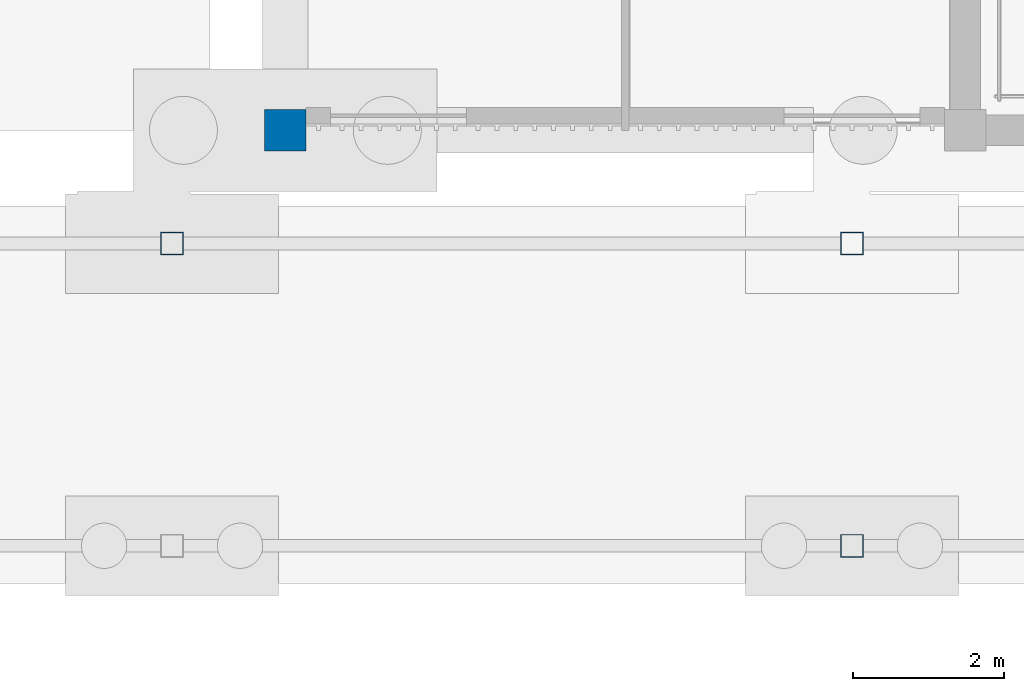
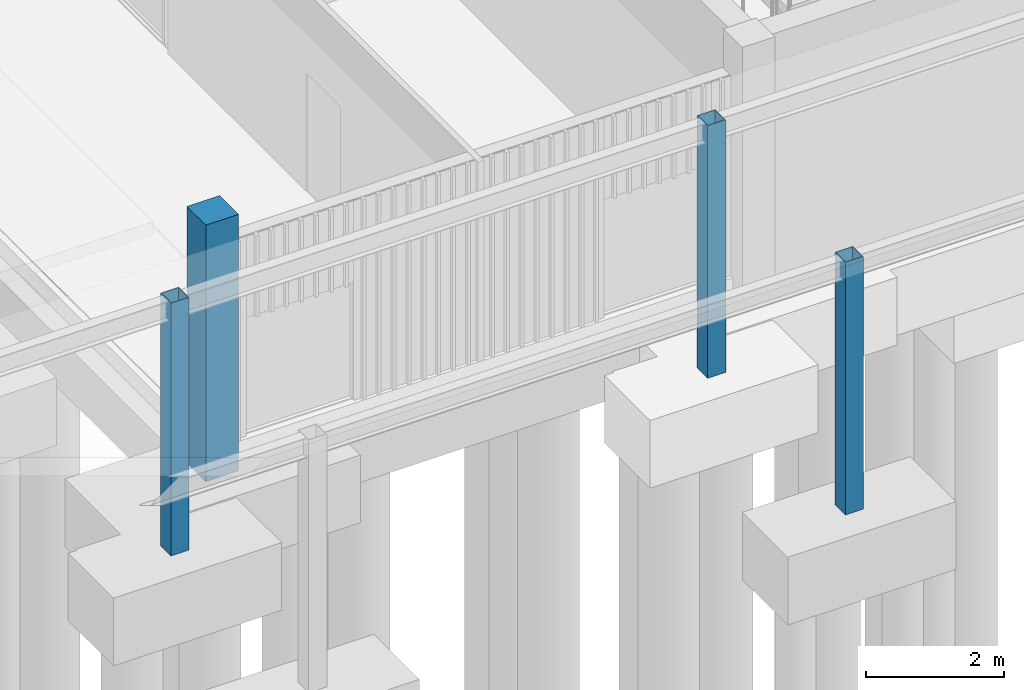
# One storey, part 13 of 106: 4 columns.
"""IFC4 building model written with IfcOpenShell, lengths in metres."""

from ifc_helpers import new_model, si_unit, direction, frame, origin, origin_2d, place, context, subcontext, project, spatial, rectangle, hollow_rectangle, extrude, material, material_profile, profile_set, type_object, element, save


model = new_model("IFC4")

# Units and contexts
model_context = context("Model", 3, precision=1e-05, world=origin(), true_north=direction((0.0, 1.0)))
body_context = subcontext(model_context, "Body", "Model", "MODEL_VIEW")
ifc_project = project(units=[si_unit("LENGTHUNIT", "METRE"), si_unit("AREAUNIT", "SQUARE_METRE"), si_unit("VOLUMEUNIT", "CUBIC_METRE"), si_unit("PLANEANGLEUNIT", "RADIAN"), si_unit("MASSUNIT", "GRAM", prefix="KILO")], contexts=[model_context])

# Site, building, storey
site_placement = place(None, origin())
site = spatial("IfcSite", under=ifc_project, at=site_placement, CompositionType="ELEMENT")
building_placement = place(site_placement, origin())
building = spatial("IfcBuilding", under=site, at=building_placement, Name="Merrow Basin Faculty of Sciences", CompositionType="ELEMENT")
storey_placement = place(building_placement, origin())
storey = spatial("IfcBuildingStorey", under=building, at=storey_placement, Name="L00", CompositionType="ELEMENT", Elevation=0.0)

# Columns
ifc_material_1 = material(Name="Steel ASTM A500 Gr C", Category="steel")
ifc_material_profile_1 = material_profile(ifc_material_1, hollow_rectangle(XDim=0.304931640625, YDim=0.304931640625, WallThickness=0.0126953125, at=origin_2d()))
ifc_profile_set_1 = profile_set([ifc_material_profile_1], Name="Steel ASTM A500 Gr C")
column_type_1 = type_object("IfcColumnType", Name="Canopy column HSS305x305x12.7", PredefinedType="COLUMN", material=ifc_profile_set_1)
for number, where, z_axis, x_axis, name in (
    (1, (52.5, 59.5, -0.300048828125), (0.0, 0.0, 1.0), (1.0, 0.0, 0.0), "Canopy column P1"),
    (2, (61.5, 55.5, -0.300048828125), (0.0, 0.0, 1.0), (1.0, 0.0, 0.0), "Canopy column P1"),
    (3, (61.5, 59.5, -0.300048828125), (0.0, 0.0, 1.0), (1.0, 0.0, 0.0), "Canopy column P1"),
):
    element("IfcColumn", number, at=place(storey_placement, frame(where, z_axis=z_axis, x_axis=x_axis)), inside=storey, type_object=column_type_1, Name=name, PredefinedType="COLUMN", context=body_context, shape_type="SweptSolid", body=[
        extrude(hollow_rectangle(XDim=0.304931640625, YDim=0.304931640625, WallThickness=0.0126953125, at=origin_2d()), origin(), (0.0, 0.0, 1.0), 4.47998046875),
    ])
ifc_material_2 = material(Name="Concrete C40/50", Category="concrete")
ifc_material_profile_2 = material_profile(ifc_material_2, rectangle(XDim=0.550048828125, YDim=0.550048828125, at=origin_2d()))
ifc_profile_set_2 = profile_set([ifc_material_profile_2], Name="Concrete C40/50")
column_type_2 = type_object("IfcColumnType", Name="Column RC550x550 C40/50", PredefinedType="COLUMN", material=ifc_profile_set_2)
column_placement = place(storey_placement, frame((54.0, 61.0, -0.300048828125), z_axis=(0.0, 0.0, 1.0), x_axis=(1.0, 0.0, 0.0)))
element("IfcColumn", 4, at=column_placement, inside=storey, type_object=column_type_2, Name="Column G1 L00", PredefinedType="COLUMN", context=body_context, shape_type="SweptSolid", body=[
    extrude(rectangle(XDim=0.550048828125, YDim=0.550048828125, at=origin_2d()), origin(), (0.0, 0.0, 1.0), 4.550048828125),
])

save(model, "model.ifc")
